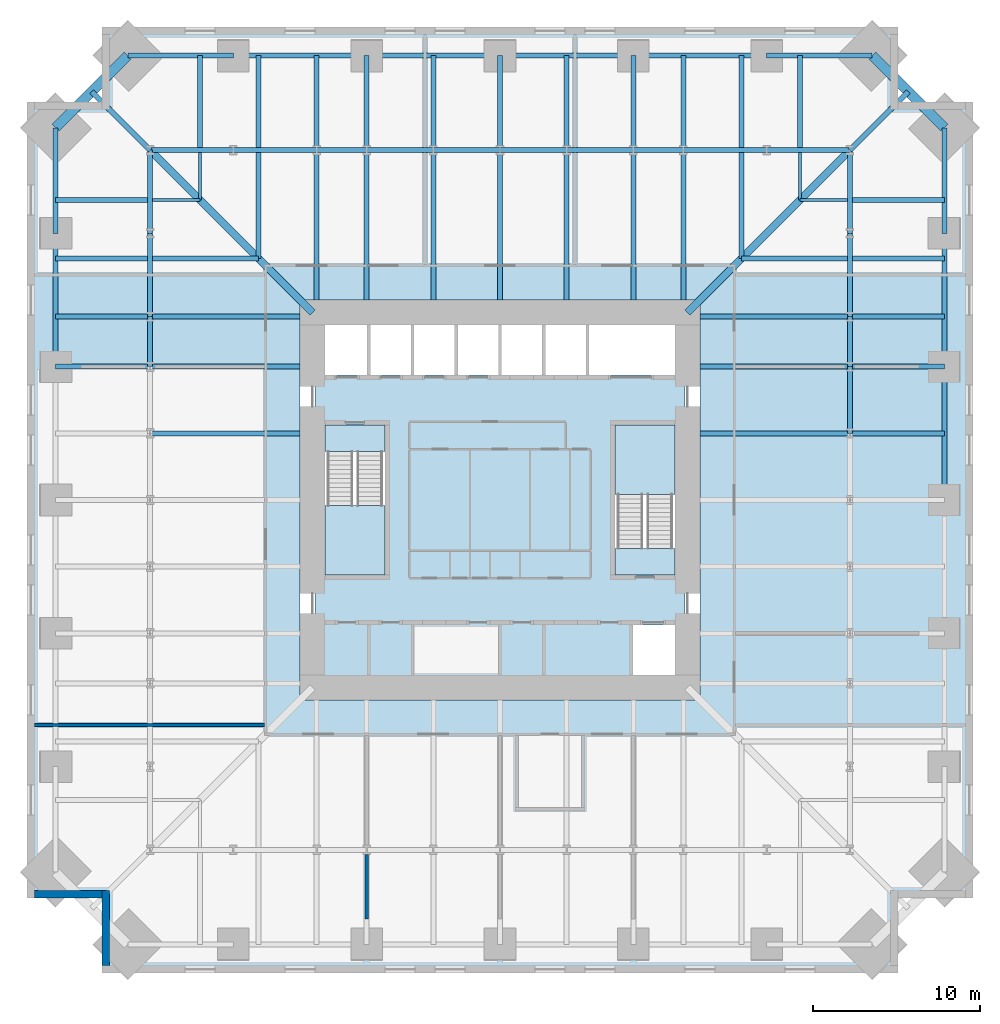
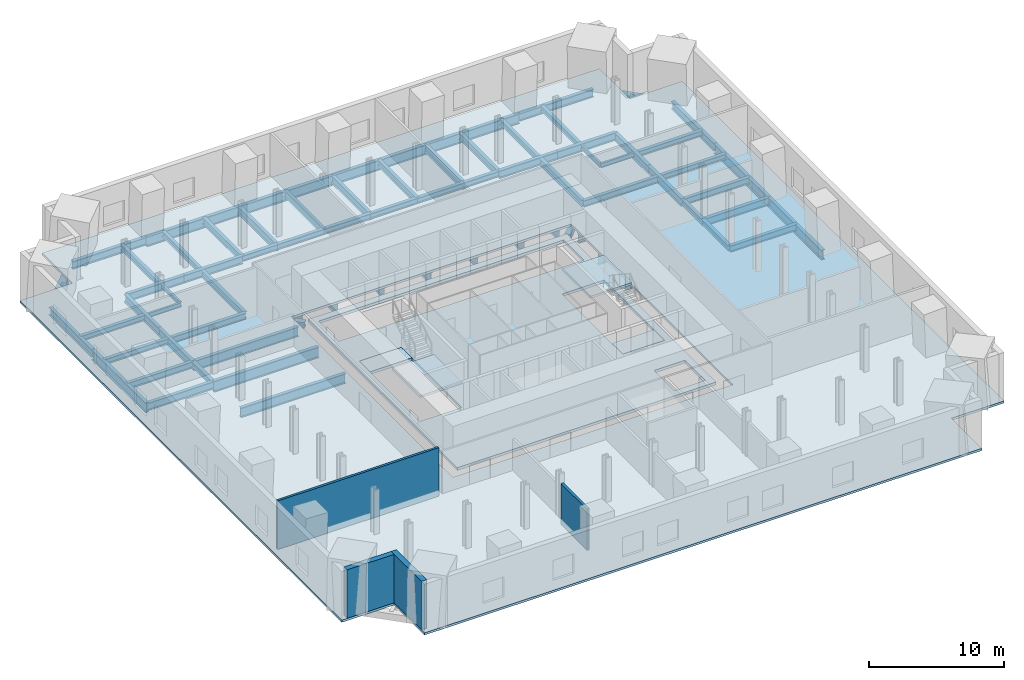
# One storey, part 2 of 8: 75 beams, 6 slabs, 4 walls, 2 elements without a shape of their own.
"""IFC4 building model written with IfcOpenShell, lengths in metres."""

from ifc_helpers import new_model, si_unit, direction, frame, frame_2d, origin, origin_2d, place, context, subcontext, project, spatial, polyline, rectangle, hollow_rectangle, i_section, outline, extrude, material, layer, layer_set, material_profile, profile_set, type_object, element, aggregate, save


model = new_model("IFC4")

# Units and contexts
model_context = context("Model", 3, precision=1e-05, world=origin(), true_north=direction((0.0, 1.0)))
body_context = subcontext(model_context, "Body", "Model", "MODEL_VIEW")
ifc_project = project(units=[si_unit("LENGTHUNIT", "METRE"), si_unit("AREAUNIT", "SQUARE_METRE"), si_unit("VOLUMEUNIT", "CUBIC_METRE"), si_unit("PLANEANGLEUNIT", "RADIAN"), si_unit("MASSUNIT", "GRAM", prefix="KILO")], contexts=[model_context])

# Site, building, storey
site_placement = place(None, origin())
site = spatial("IfcSite", under=ifc_project, at=site_placement, CompositionType="ELEMENT")
building_placement = place(site_placement, origin())
building = spatial("IfcBuilding", under=site, at=building_placement, Name="Peilmerk Tower", CompositionType="ELEMENT")
storey_placement = place(building_placement, frame((0.0, 0.0, 104.39990234375)))
storey = spatial("IfcBuildingStorey", under=building, at=storey_placement, Name="L20", CompositionType="ELEMENT", Elevation=104.39990234375)

# Beams
ifc_material_1 = material(Name="Steel S355", Category="steel")
ifc_material_profile_1 = material_profile(ifc_material_1, i_section(OverallWidth=0.300048828125, OverallDepth=0.68994140625, WebThickness=0.014404296875, FlangeThickness=0.027099609375, at=origin_2d()), Name="HEA 700")
ifc_profile_set_1 = profile_set([ifc_material_profile_1], Name="Steel S355")
beam_type_1 = type_object("IfcBeamType", Name="B16 HEA 700 floor beam", PredefinedType="BEAM", material=ifc_profile_set_1)
for number, where, z_axis, x_axis, name in (
    (1, (8.0, 21.0, -0.544921875), (0.0, 1.0, 0.0), (-1.0, 0.0, 0.0), "Floor girder L20"),
    (2, (0.0, 21.0, -0.544921875), (0.0, 1.0, 0.0), (-1.0, 0.0, 0.0), "Floor girder L20"),
    (3, (-8.0, 21.0, -0.544921875), (0.0, 1.0, 0.0), (-1.0, 0.0, 0.0), "Floor girder L20"),
    (4, (21.0, 8.0, -0.544921875), (1.0, 0.0, 0.0), (0.0, 1.0, 0.0), "Floor girder L20"),
    (5, (-21.0, 8.0, -0.544921875), (-1.0, 0.0, 0.0), (0.0, -1.0, 0.0), "Floor girder L20"),
):
    element("IfcBeam", number, at=place(storey_placement, frame(where, z_axis=z_axis, x_axis=x_axis)), inside=storey, type_object=beam_type_1, Name=name, PredefinedType="BEAM", context=body_context, shape_type="SweptSolid", body=[
        extrude(i_section(OverallWidth=0.300048828125, OverallDepth=0.68994140625, WebThickness=0.014404296875, FlangeThickness=0.027099609375, at=origin_2d()), origin(), (0.0, 0.0, 1.0), 5.68701171875),
    ])
for number, where, z_axis, x_axis, name in (
    (6, (21.0, 21.0, -0.544921875), (0.707106781187, 0.707106781187, 0.0), (-0.707106781187, 0.707106781187, 0.0), "Corner girder L20"),
    (7, (-21.0, 21.0, -0.544921875), (-0.707106781187, 0.707106781187, 0.0), (-0.707106781187, -0.707106781187, 0.0), "Corner girder L20"),
):
    element("IfcBeam", number, at=place(storey_placement, frame(where, z_axis=z_axis, x_axis=x_axis)), inside=storey, type_object=beam_type_1, Name=name, PredefinedType="BEAM", context=body_context, shape_type="SweptSolid", body=[
        extrude(i_section(OverallWidth=0.300048828125, OverallDepth=0.68994140625, WebThickness=0.014404296875, FlangeThickness=0.027099609375, at=origin_2d()), origin(), (0.0, 0.0, 1.0), 4.967041015625),
    ])
ifc_material_profile_2 = material_profile(ifc_material_1, i_section(OverallWidth=0.303955078125, OverallDepth=0.716064453125, WebThickness=0.02099609375, FlangeThickness=0.0400390625, at=origin_2d()), Name="HEM 700")
ifc_profile_set_2 = profile_set([ifc_material_profile_2], Name="Steel S355")
beam_type_2 = type_object("IfcBeamType", Name="B19 HEM 700 ring girder", PredefinedType="BEAM", material=ifc_profile_set_2)
for number, where, z_axis, x_axis, name in (
    (8, (21.0, 21.0, -0.557861328125), (-1.0, 0.0, 0.0), (0.0, -1.0, 0.0), "Ring girder L20"),
    (9, (16.0, 21.0, -0.557861328125), (-1.0, 0.0, 0.0), (0.0, -1.0, 0.0), "Ring girder L20"),
    (10, (-11.0, 21.0, -0.557861328125), (-1.0, 0.0, 0.0), (0.0, -1.0, 0.0), "Ring girder L20"),
    (11, (-16.0, 21.0, -0.557861328125), (-1.0, 0.0, 0.0), (0.0, -1.0, 0.0), "Ring girder L20"),
    (12, (21.0, 11.0, -0.557861328125), (0.0, 1.0, 0.0), (-1.0, 0.0, 0.0), "Ring girder L20"),
    (13, (21.0, 16.0, -0.557861328125), (0.0, 1.0, 0.0), (-1.0, 0.0, 0.0), "Ring girder L20"),
    (14, (-21.0, 21.0, -0.557861328125), (0.0, -1.0, 0.0), (1.0, 0.0, 0.0), "Ring girder L20"),
    (15, (-21.0, 16.0, -0.557861328125), (0.0, -1.0, 0.0), (1.0, 0.0, 0.0), "Ring girder L20"),
):
    element("IfcBeam", number, at=place(storey_placement, frame(where, z_axis=z_axis, x_axis=x_axis)), inside=storey, type_object=beam_type_2, Name=name, PredefinedType="BEAM", context=body_context, shape_type="SweptSolid", body=[
        extrude(i_section(OverallWidth=0.303955078125, OverallDepth=0.716064453125, WebThickness=0.02099609375, FlangeThickness=0.0400390625, at=origin_2d()), origin(), (0.0, 0.0, 1.0), 5.0),
    ])
ifc_material_profile_3 = material_profile(ifc_material_1, i_section(OverallWidth=0.302001953125, OverallDepth=0.909912109375, WebThickness=0.02099609375, FlangeThickness=0.0400390625, at=origin_2d()), Name="HEM 900")
ifc_profile_set_3 = profile_set([ifc_material_profile_3], Name="Steel S355")
beam_type_3 = type_object("IfcBeamType", Name="B2 HEM 900 edge beam", PredefinedType="SPANDREL", material=ifc_profile_set_3)
for number, where, z_axis, x_axis, name in (
    (16, (16.0, 26.68701171875, -0.65478515625), (-1.0, 0.0, 0.0), (0.0, -1.0, 0.0), "Edge beam L20"),
    (17, (8.0, 26.68701171875, -0.65478515625), (-1.0, 0.0, 0.0), (0.0, -1.0, 0.0), "Edge beam L20"),
    (18, (0.0, 26.68701171875, -0.65478515625), (-1.0, 0.0, 0.0), (0.0, -1.0, 0.0), "Edge beam L20"),
    (19, (-8.0, 26.68701171875, -0.65478515625), (-1.0, 0.0, 0.0), (0.0, -1.0, 0.0), "Edge beam L20"),
    (20, (26.68701171875, 0.0, -0.65478515625), (0.0, 1.0, 0.0), (-1.0, 0.0, 0.0), "Edge beam L20"),
    (21, (26.68701171875, 8.0, -0.65478515625), (0.0, 1.0, 0.0), (-1.0, 0.0, 0.0), "Edge beam L20"),
    (22, (-26.68701171875, 16.0, -0.65478515625), (0.0, -1.0, 0.0), (1.0, 0.0, 0.0), "Edge beam L20"),
):
    element("IfcBeam", number, at=place(storey_placement, frame(where, z_axis=z_axis, x_axis=x_axis)), inside=storey, type_object=beam_type_3, Name=name, PredefinedType="SPANDREL", context=body_context, shape_type="SweptSolid", body=[
        extrude(i_section(OverallWidth=0.302001953125, OverallDepth=0.909912109375, WebThickness=0.02099609375, FlangeThickness=0.0400390625, at=origin_2d()), origin(), (0.0, 0.0, 1.0), 8.0),
    ])
ifc_material_2 = material(Name="Steel S460", Category="steel")
ifc_material_profile_4 = material_profile(ifc_material_2, hollow_rectangle(XDim=0.60009765625, YDim=0.60009765625, WallThickness=0.06005859375, at=origin_2d()), Name="BOX 600x600x60")
ifc_profile_set_4 = profile_set([ifc_material_profile_4], Name="Steel S460")
beam_type_4 = type_object("IfcBeamType", Name="B20 BOX 600x600x60 notch beam", PredefinedType="SPANDREL", material=ifc_profile_set_4)
for number, where, z_axis, x_axis, name in (
    (23, (22.337158203125, 26.68701171875, -0.5), (0.707106781187, -0.707106781187, 0.0), (0.707106781187, 0.707106781187, 0.0), "Notch beam L20"),
    (24, (-26.68701171875, 22.337158203125, -0.5), (0.707106781187, 0.707106781187, 0.0), (-0.707106781187, 0.707106781187, 0.0), "Notch beam L20"),
):
    element("IfcBeam", number, at=place(storey_placement, frame(where, z_axis=z_axis, x_axis=x_axis)), inside=storey, type_object=beam_type_4, Name=name, PredefinedType="SPANDREL", context=body_context, shape_type="SweptSolid", body=[
        extrude(hollow_rectangle(XDim=0.60009765625, YDim=0.60009765625, WallThickness=0.06005859375, at=origin_2d()), origin(), (0.0, 0.0, 1.0), 6.151611328125),
    ])
ifc_material_profile_5 = material_profile(ifc_material_1, i_section(OverallWidth=0.302001953125, OverallDepth=1.008056640625, WebThickness=0.02099609375, FlangeThickness=0.0400390625, at=origin_2d()), Name="HEM 1000")
ifc_profile_set_5 = profile_set([ifc_material_profile_5], Name="Steel S355")
beam_type_5 = type_object("IfcBeamType", Name="B24 HEM 1000 floor girder", PredefinedType="BEAM", material=ifc_profile_set_5)
for number, where, z_axis, x_axis, name in (
    (25, (8.0, 12.0, -0.703857421875), (0.0, 1.0, 0.0), (-1.0, 0.0, 0.0), "Floor girder L20"),
    (26, (0.0, 12.0, -0.703857421875), (0.0, 1.0, 0.0), (-1.0, 0.0, 0.0), "Floor girder L20"),
    (27, (-8.0, 12.0, -0.703857421875), (0.0, 1.0, 0.0), (-1.0, 0.0, 0.0), "Floor girder L20"),
    (28, (12.0, 8.0, -0.703857421875), (1.0, 0.0, 0.0), (0.0, 1.0, 0.0), "Floor girder L20"),
    (29, (-12.0, 8.0, -0.703857421875), (-1.0, 0.0, 0.0), (0.0, -1.0, 0.0), "Floor girder L20"),
):
    element("IfcBeam", number, at=place(storey_placement, frame(where, z_axis=z_axis, x_axis=x_axis)), inside=storey, type_object=beam_type_5, Name=name, PredefinedType="BEAM", context=body_context, shape_type="SweptSolid", body=[
        extrude(i_section(OverallWidth=0.302001953125, OverallDepth=1.008056640625, WebThickness=0.02099609375, FlangeThickness=0.0400390625, at=origin_2d()), origin(), (0.0, 0.0, 1.0), 9.0),
    ])
ifc_material_profile_6 = material_profile(ifc_material_1, i_section(OverallWidth=0.300048828125, OverallDepth=0.590087890625, WebThickness=0.012939453125, FlangeThickness=0.02490234375, at=origin_2d()), Name="HEA 600")
ifc_profile_set_6 = profile_set([ifc_material_profile_6], Name="Steel S355")
beam_type_6 = type_object("IfcBeamType", Name="B27 HEA 600 floor beam", PredefinedType="BEAM", material=ifc_profile_set_6)
for number, where, z_axis, x_axis, name in (
    (30, (11.0, 21.0, -0.494873046875), (0.0, 1.0, 0.0), (-1.0, 0.0, 0.0), "Floor beam L20"),
    (31, (4.0, 21.0, -0.494873046875), (0.0, 1.0, 0.0), (-1.0, 0.0, 0.0), "Floor beam L20"),
    (32, (-4.0, 21.0, -0.494873046875), (0.0, 1.0, 0.0), (-1.0, 0.0, 0.0), "Floor beam L20"),
    (33, (-11.0, 21.0, -0.494873046875), (0.0, 1.0, 0.0), (-1.0, 0.0, 0.0), "Floor beam L20"),
    (34, (21.0, 4.0, -0.494873046875), (1.0, 0.0, 0.0), (0.0, 1.0, 0.0), "Floor beam L20"),
    (35, (21.0, 11.0, -0.494873046875), (1.0, 0.0, 0.0), (0.0, 1.0, 0.0), "Floor beam L20"),
    (36, (-21.0, 11.0, -0.494873046875), (-1.0, 0.0, 0.0), (0.0, -1.0, 0.0), "Floor beam L20"),
):
    element("IfcBeam", number, at=place(storey_placement, frame(where, z_axis=z_axis, x_axis=x_axis)), inside=storey, type_object=beam_type_6, Name=name, PredefinedType="BEAM", context=body_context, shape_type="SweptSolid", body=[
        extrude(i_section(OverallWidth=0.300048828125, OverallDepth=0.590087890625, WebThickness=0.012939453125, FlangeThickness=0.02490234375, at=origin_2d()), origin(), (0.0, 0.0, 1.0), 5.68701171875),
    ])
for number, where, z_axis, x_axis, name in (
    (37, (14.5, 14.5, -0.494873046875), (0.0, 1.0, 0.0), (-1.0, 0.0, 0.0), "Floor beam L20"),
    (38, (14.5, 14.5, -0.494873046875), (1.0, 0.0, 0.0), (0.0, 1.0, 0.0), "Floor beam L20"),
    (39, (-14.5, 14.5, -0.494873046875), (0.0, 1.0, 0.0), (-1.0, 0.0, 0.0), "Floor beam L20"),
    (40, (-14.5, 14.5, -0.494873046875), (-1.0, 0.0, 0.0), (0.0, -1.0, 0.0), "Floor beam L20"),
):
    element("IfcBeam", number, at=place(storey_placement, frame(where, z_axis=z_axis, x_axis=x_axis)), inside=storey, type_object=beam_type_6, Name=name, PredefinedType="BEAM", context=body_context, shape_type="SweptSolid", body=[
        extrude(i_section(OverallWidth=0.300048828125, OverallDepth=0.590087890625, WebThickness=0.012939453125, FlangeThickness=0.02490234375, at=origin_2d()), origin(), (0.0, 0.0, 1.0), 6.347900390625),
    ])
ifc_material_profile_7 = material_profile(ifc_material_1, i_section(OverallWidth=0.179931640625, OverallDepth=0.39990234375, WebThickness=0.008544921875, FlangeThickness=0.013427734375, at=origin_2d()), Name="IPE 400")
ifc_profile_set_7 = profile_set([ifc_material_profile_7], Name="Steel S355")
beam_type_7 = type_object("IfcBeamType", Name="B28 IPE 400 floor beam", PredefinedType="BEAM", material=ifc_profile_set_7)
for number, where, z_axis, x_axis, name in (
    (41, (18.0, 18.0, -0.39990234375), (0.0, 1.0, 0.0), (-1.0, 0.0, 0.0), "Floor beam L20"),
    (42, (18.0, 18.0, -0.39990234375), (1.0, 0.0, 0.0), (0.0, 1.0, 0.0), "Floor beam L20"),
    (43, (-18.0, 18.0, -0.39990234375), (0.0, 1.0, 0.0), (-1.0, 0.0, 0.0), "Floor beam L20"),
    (44, (-18.0, 18.0, -0.39990234375), (-1.0, 0.0, 0.0), (0.0, -1.0, 0.0), "Floor beam L20"),
):
    element("IfcBeam", number, at=place(storey_placement, frame(where, z_axis=z_axis, x_axis=x_axis)), inside=storey, type_object=beam_type_7, Name=name, PredefinedType="BEAM", context=body_context, shape_type="SweptSolid", body=[
        extrude(i_section(OverallWidth=0.179931640625, OverallDepth=0.39990234375, WebThickness=0.008544921875, FlangeThickness=0.013427734375, at=origin_2d()), origin(), (0.0, 0.0, 1.0), 2.847900390625),
    ])
ifc_material_profile_8 = material_profile(ifc_material_1, i_section(OverallWidth=0.300048828125, OverallDepth=0.489990234375, WebThickness=0.011962890625, FlangeThickness=0.02294921875, at=origin_2d()), Name="HEA 500")
ifc_profile_set_8 = profile_set([ifc_material_profile_8], Name="Steel S355")
beam_type_8 = type_object("IfcBeamType", Name="B29 HEA 500 floor beam", PredefinedType="BEAM", material=ifc_profile_set_8)
for number, where, z_axis, x_axis, name in (
    (45, (14.5, 21.152099609375, -0.44482421875), (0.0, 1.0, 0.0), (-1.0, 0.0, 0.0), "Floor beam L20"),
    (46, (21.152099609375, 14.5, -0.44482421875), (1.0, 0.0, 0.0), (0.0, 1.0, 0.0), "Floor beam L20"),
    (47, (18.0, 21.152099609375, -0.44482421875), (0.0, 1.0, 0.0), (-1.0, 0.0, 0.0), "Floor beam L20"),
    (48, (21.152099609375, 18.0, -0.44482421875), (1.0, 0.0, 0.0), (0.0, 1.0, 0.0), "Floor beam L20"),
    (49, (-14.5, 21.152099609375, -0.44482421875), (0.0, 1.0, 0.0), (-1.0, 0.0, 0.0), "Floor beam L20"),
    (50, (-21.152099609375, 14.5, -0.44482421875), (-1.0, 0.0, 0.0), (0.0, -1.0, 0.0), "Floor beam L20"),
    (51, (-18.0, 21.152099609375, -0.44482421875), (0.0, 1.0, 0.0), (-1.0, 0.0, 0.0), "Floor beam L20"),
    (52, (-21.152099609375, 18.0, -0.44482421875), (-1.0, 0.0, 0.0), (0.0, -1.0, 0.0), "Floor beam L20"),
):
    element("IfcBeam", number, at=place(storey_placement, frame(where, z_axis=z_axis, x_axis=x_axis)), inside=storey, type_object=beam_type_8, Name=name, PredefinedType="BEAM", context=body_context, shape_type="SweptSolid", body=[
        extrude(i_section(OverallWidth=0.300048828125, OverallDepth=0.489990234375, WebThickness=0.011962890625, FlangeThickness=0.02294921875, at=origin_2d()), origin(), (0.0, 0.0, 1.0), 5.534912109375),
    ])
ifc_material_profile_9 = material_profile(ifc_material_1, i_section(OverallWidth=0.303955078125, OverallDepth=0.716064453125, WebThickness=0.02099609375, FlangeThickness=0.0400390625, at=origin_2d()), Name="HEM 700")
ifc_profile_set_9 = profile_set([ifc_material_profile_9], Name="Steel S355")
beam_type_9 = type_object("IfcBeamType", Name="B30 HEM 700 edge beam", PredefinedType="SPANDREL", material=ifc_profile_set_9)
for number, where, z_axis, x_axis, name in (
    (53, (22.337158203125, 26.68701171875, -0.557861328125), (-1.0, 0.0, 0.0), (0.0, -1.0, 0.0), "Edge beam L20"),
    (54, (-16.0, 26.68701171875, -0.557861328125), (-1.0, 0.0, 0.0), (0.0, -1.0, 0.0), "Edge beam L20"),
    (55, (26.68701171875, 16.0, -0.557861328125), (0.0, 1.0, 0.0), (-1.0, 0.0, 0.0), "Edge beam L20"),
    (56, (-26.68701171875, 22.337158203125, -0.557861328125), (0.0, -1.0, 0.0), (1.0, 0.0, 0.0), "Edge beam L20"),
):
    element("IfcBeam", number, at=place(storey_placement, frame(where, z_axis=z_axis, x_axis=x_axis)), inside=storey, type_object=beam_type_9, Name=name, PredefinedType="SPANDREL", context=body_context, shape_type="SweptSolid", body=[
        extrude(i_section(OverallWidth=0.303955078125, OverallDepth=0.716064453125, WebThickness=0.02099609375, FlangeThickness=0.0400390625, at=origin_2d()), origin(), (0.0, 0.0, 1.0), 6.337158203125),
    ])
ifc_material_profile_10 = material_profile(ifc_material_1, i_section(OverallWidth=0.300048828125, OverallDepth=0.889892578125, WebThickness=0.01611328125, FlangeThickness=0.030029296875, at=origin_2d()), Name="HEA 900")
ifc_profile_set_10 = profile_set([ifc_material_profile_10], Name="Steel S355")
beam_type_10 = type_object("IfcBeamType", Name="B4 HEA 900 floor beam", PredefinedType="BEAM", material=ifc_profile_set_10)
for number, where, z_axis, x_axis, name in (
    (57, (11.0, 12.0, -0.64501953125), (0.0, 1.0, 0.0), (-1.0, 0.0, 0.0), "Floor beam L20"),
    (58, (4.0, 12.0, -0.64501953125), (0.0, 1.0, 0.0), (-1.0, 0.0, 0.0), "Floor beam L20"),
    (59, (-4.0, 12.0, -0.64501953125), (0.0, 1.0, 0.0), (-1.0, 0.0, 0.0), "Floor beam L20"),
    (60, (-11.0, 12.0, -0.64501953125), (0.0, 1.0, 0.0), (-1.0, 0.0, 0.0), "Floor beam L20"),
    (61, (12.0, 4.0, -0.64501953125), (1.0, 0.0, 0.0), (0.0, 1.0, 0.0), "Floor beam L20"),
    (62, (12.0, 11.0, -0.64501953125), (1.0, 0.0, 0.0), (0.0, 1.0, 0.0), "Floor beam L20"),
    (63, (-12.0, 11.0, -0.64501953125), (-1.0, 0.0, 0.0), (0.0, -1.0, 0.0), "Floor beam L20"),
    (64, (-12.0, 4.0, -0.64501953125), (-1.0, 0.0, 0.0), (0.0, -1.0, 0.0), "Floor beam L20"),
):
    element("IfcBeam", number, at=place(storey_placement, frame(where, z_axis=z_axis, x_axis=x_axis)), inside=storey, type_object=beam_type_10, Name=name, PredefinedType="BEAM", context=body_context, shape_type="SweptSolid", body=[
        extrude(i_section(OverallWidth=0.300048828125, OverallDepth=0.889892578125, WebThickness=0.01611328125, FlangeThickness=0.030029296875, at=origin_2d()), origin(), (0.0, 0.0, 1.0), 9.0),
    ])
ifc_material_profile_11 = material_profile(ifc_material_1, i_section(OverallWidth=0.305908203125, OverallDepth=0.52392578125, WebThickness=0.02099609375, FlangeThickness=0.0400390625, at=origin_2d()), Name="HEM 500")
ifc_profile_set_11 = profile_set([ifc_material_profile_11], Name="Steel S355")
beam_type_11 = type_object("IfcBeamType", Name="B7 HEM 500 ring girder", PredefinedType="BEAM", material=ifc_profile_set_11)
beam_1_placement = place(storey_placement, frame((11.0, 21.0, -0.4619140625), z_axis=(-1.0, 0.0, 0.0), x_axis=(0.0, -1.0, 0.0)))
element("IfcBeam", 65, at=beam_1_placement, inside=storey, type_object=beam_type_11, Name="Ring girder L20", PredefinedType="BEAM", context=body_context, shape_type="SweptSolid", body=[
    extrude(i_section(OverallWidth=0.305908203125, OverallDepth=0.52392578125, WebThickness=0.02099609375, FlangeThickness=0.0400390625, at=origin_2d()), origin(), (0.0, 0.0, 1.0), 3.0),
])
for number, where, z_axis, x_axis, name in (
    (66, (8.0, 21.0, -0.4619140625), (-1.0, 0.0, 0.0), (0.0, -1.0, 0.0), "Ring girder L20"),
    (67, (4.0, 21.0, -0.4619140625), (-1.0, 0.0, 0.0), (0.0, -1.0, 0.0), "Ring girder L20"),
    (68, (0.0, 21.0, -0.4619140625), (-1.0, 0.0, 0.0), (0.0, -1.0, 0.0), "Ring girder L20"),
    (69, (-4.0, 21.0, -0.4619140625), (-1.0, 0.0, 0.0), (0.0, -1.0, 0.0), "Ring girder L20"),
):
    element("IfcBeam", number, at=place(storey_placement, frame(where, z_axis=z_axis, x_axis=x_axis)), inside=storey, type_object=beam_type_11, Name=name, PredefinedType="BEAM", context=body_context, shape_type="SweptSolid", body=[
        extrude(i_section(OverallWidth=0.305908203125, OverallDepth=0.52392578125, WebThickness=0.02099609375, FlangeThickness=0.0400390625, at=origin_2d()), origin(), (0.0, 0.0, 1.0), 4.0),
    ])
beam_2_placement = place(storey_placement, frame((-8.0, 21.0, -0.4619140625), z_axis=(-1.0, 0.0, 0.0), x_axis=(0.0, -1.0, 0.0)))
element("IfcBeam", 70, at=beam_2_placement, inside=storey, type_object=beam_type_11, Name="Ring girder L20", PredefinedType="BEAM", context=body_context, shape_type="SweptSolid", body=[
    extrude(i_section(OverallWidth=0.305908203125, OverallDepth=0.52392578125, WebThickness=0.02099609375, FlangeThickness=0.0400390625, at=origin_2d()), origin(), (0.0, 0.0, 1.0), 3.0),
])
beam_3_placement = place(storey_placement, frame((21.0, 4.0, -0.4619140625), z_axis=(0.0, 1.0, 0.0), x_axis=(-1.0, 0.0, 0.0)))
element("IfcBeam", 71, at=beam_3_placement, inside=storey, type_object=beam_type_11, Name="Ring girder L20", PredefinedType="BEAM", context=body_context, shape_type="SweptSolid", body=[
    extrude(i_section(OverallWidth=0.305908203125, OverallDepth=0.52392578125, WebThickness=0.02099609375, FlangeThickness=0.0400390625, at=origin_2d()), origin(), (0.0, 0.0, 1.0), 4.0),
])
for number, where, z_axis, x_axis, name in (
    (72, (21.0, 8.0, -0.4619140625), (0.0, 1.0, 0.0), (-1.0, 0.0, 0.0), "Ring girder L20"),
    (73, (-21.0, 11.0, -0.4619140625), (0.0, -1.0, 0.0), (1.0, 0.0, 0.0), "Ring girder L20"),
):
    element("IfcBeam", number, at=place(storey_placement, frame(where, z_axis=z_axis, x_axis=x_axis)), inside=storey, type_object=beam_type_11, Name=name, PredefinedType="BEAM", context=body_context, shape_type="SweptSolid", body=[
        extrude(i_section(OverallWidth=0.305908203125, OverallDepth=0.52392578125, WebThickness=0.02099609375, FlangeThickness=0.0400390625, at=origin_2d()), origin(), (0.0, 0.0, 1.0), 3.0),
    ])
ifc_material_profile_12 = material_profile(ifc_material_2, i_section(OverallWidth=0.4541015625, OverallDepth=0.569091796875, WebThickness=0.077880859375, FlangeThickness=0.125, at=origin_2d()), Name="HD 400x1086")
ifc_profile_set_12 = profile_set([ifc_material_profile_12], Name="Steel S460")
beam_type_12 = type_object("IfcBeamType", Name="B9 HD 400x1086 corner girder", PredefinedType="BEAM", material=ifc_profile_set_12)
for number, where, z_axis, x_axis, name in (
    (74, (11.25, 11.25, -0.484375), (0.707106781187, 0.707106781187, 0.0), (-0.707106781187, 0.707106781187, 0.0), "Corner girder L20"),
    (75, (-11.25, 11.25, -0.484375), (-0.707106781187, 0.707106781187, 0.0), (-0.707106781187, -0.707106781187, 0.0), "Corner girder L20"),
):
    element("IfcBeam", number, at=place(storey_placement, frame(where, z_axis=z_axis, x_axis=x_axis)), inside=storey, type_object=beam_type_12, Name=name, PredefinedType="BEAM", context=body_context, shape_type="SweptSolid", body=[
        extrude(i_section(OverallWidth=0.4541015625, OverallDepth=0.569091796875, WebThickness=0.077880859375, FlangeThickness=0.125, at=origin_2d()), origin(), (0.0, 0.0, 1.0), 13.78857421875),
    ])

# Slabs
ifc_material_3 = material(Name="Concrete C55/67", Category="concrete")
ifc_layer_1 = layer(ifc_material_3, 0.25)
ifc_layer_set_1 = layer_set([ifc_layer_1], Name="Concrete C55/67")
slab_type_1 = type_object("IfcSlabType", Name="CS250 250 core floor slab", PredefinedType="FLOOR", material=ifc_layer_set_1)
slab_1_placement = place(storey_placement, frame((0.0, 0.0, -0.25)))
element("IfcSlab", 76, at=slab_1_placement, inside=storey, type_object=slab_type_1, Name="Core slab L20", PredefinedType="FLOOR", context=body_context, shape_type="SweptSolid", body=[
    extrude(outline(polyline([(-11.10009765625, 11.10009765625), (-11.10009765625, -11.10009765625), (11.10009765625, -11.10009765625), (11.10009765625, 11.10009765625), (-11.10009765625, 11.10009765625)]), holes=[polyline([(10.5, 7.5), (-10.5, 7.5), (-10.5, 10.5), (10.5, 10.5), (10.5, 7.5)]), polyline([(7.875, -10.5), (7.875, -7.5), (10.5, -7.5), (10.5, -10.5), (7.875, -10.5)]), polyline([(-10.5, 4.5), (-6.89990234375, 4.5), (-6.89990234375, -4.5), (-10.5, -4.5), (-10.5, 4.5)]), polyline([(10.5, 4.5), (10.5, -4.5), (6.89990234375, -4.5), (6.89990234375, 4.5), (10.5, 4.5)])]), origin(), (0.0, 0.0, 1.0), 0.25),
])
ifc_material_4 = material(Name="Concrete C35/45", Category="concrete")
ifc_layer_2 = layer(ifc_material_4, 0.199951171875)
ifc_layer_set_2 = layer_set([ifc_layer_2], Name="Concrete C35/45")
slab_type_2 = type_object("IfcSlabType", Name="FS200 200 composite floor slab", PredefinedType="FLOOR", material=ifc_layer_set_2)
slab_2_placement = place(storey_placement, frame((0.0, 0.0, -0.199951171875)))
element("IfcSlab", 77, at=slab_2_placement, inside=storey, type_object=slab_type_2, Name="Floor slab L20", PredefinedType="FLOOR", context=body_context, shape_type="SweptSolid", body=[
    extrude(outline(polyline([(-23.89990234375, -28.39990234375), (23.89990234375, -28.39990234375), (23.89990234375, -23.89990234375), (28.39990234375, -23.89990234375), (28.39990234375, 23.89990234375), (23.89990234375, 23.89990234375), (23.89990234375, 28.39990234375), (-23.89990234375, 28.39990234375), (-23.89990234375, 23.89990234375), (-28.39990234375, 23.89990234375), (-28.39990234375, -23.89990234375), (-23.89990234375, -23.89990234375), (-23.89990234375, -28.39990234375)]), holes=[polyline([(12.0, 12.0), (12.0, -12.0), (-12.0, -12.0), (-12.0, 12.0), (12.0, 12.0)])]), origin(), (0.0, 0.0, 1.0), 0.199951171875),
])

# Stair, slab
ifc_material_5 = material(Name="Precast concrete C45/55", Category="concrete")
stair_type_1 = type_object("IfcStairType", Name="ST1 26 risers of 176.9", PredefinedType="HALF_TURN_STAIR", material=ifc_material_5)
stair_1_placement = place(storey_placement, origin())
stair_1 = element("IfcStair", 78, at=stair_1_placement, inside=storey, type_object=stair_type_1, Name="Stair 1 L20 to L21", PredefinedType="HALF_TURN_STAIR")
ifc_layer_3 = layer(ifc_material_4, 0.199951171875)
ifc_layer_set_3 = layer_set([ifc_layer_3], Name="Concrete C35/45")
slab_type_3 = type_object("IfcSlabType", Name="SL1 200 concrete stair landing", PredefinedType="LANDING", material=ifc_layer_set_3)
slab_3_placement = place(storey_placement, frame((0.0, 0.0, 2.10009765625)))
slab_3 = element("IfcSlab", 79, at=slab_3_placement, type_object=slab_type_3, Name="ST1 landing 1", PredefinedType="LANDING", context=body_context, shape_type="SweptSolid", body=[
    extrude(outline(polyline([(-10.5, -4.5), (-6.89990234375, -4.5), (-6.89990234375, -0.340087890625), (-10.5, -0.340087890625), (-10.5, -4.5)])), origin(), (0.0, 0.0, 1.0), 0.199951171875),
])

stair_type_2 = type_object("IfcStairType", Name="ST2 26 risers of 176.9", PredefinedType="HALF_TURN_STAIR", material=ifc_material_5)
stair_2_placement = place(storey_placement, origin())
stair_2 = element("IfcStair", 80, at=stair_2_placement, inside=storey, type_object=stair_type_2, Name="Stair 2 L20 to L21", PredefinedType="HALF_TURN_STAIR")
slab_4_placement = place(storey_placement, frame((0.0, 0.0, 2.10009765625)))
slab_4 = element("IfcSlab", 81, at=slab_4_placement, type_object=slab_type_3, Name="ST2 landing 1", PredefinedType="LANDING", context=body_context, shape_type="SweptSolid", body=[
    extrude(outline(polyline([(6.89990234375, 0.340087890625), (10.5, 0.340087890625), (10.5, 4.5), (6.89990234375, 4.5), (6.89990234375, 0.340087890625)])), origin(), (0.0, 0.0, 1.0), 0.199951171875),
])

# Slab
ifc_layer_4 = layer(ifc_material_4, 0.25)
ifc_layer_set_4 = layer_set([ifc_layer_4], Name="Concrete C35/45")
slab_type_4 = type_object("IfcSlabType", Name="SL2 250 concrete floor landing", PredefinedType="LANDING", material=ifc_layer_set_4)
slab_5_placement = place(storey_placement, frame((0.0, 0.0, -0.25)))
slab_5 = element("IfcSlab", 82, at=slab_5_placement, type_object=slab_type_4, Name="ST1 floor landing", PredefinedType="LANDING", context=body_context, shape_type="SweptSolid", body=[
    extrude(outline(polyline([(-10.5, 2.89990234375), (-6.89990234375, 2.89990234375), (-6.89990234375, 4.5), (-10.5, 4.5), (-10.5, 2.89990234375)])), origin(), (0.0, 0.0, 1.0), 0.25),
])

aggregate(stair_1, [slab_3, slab_5])

slab_6_placement = place(storey_placement, frame((0.0, 0.0, -0.25)))
slab_6 = element("IfcSlab", 83, at=slab_6_placement, type_object=slab_type_4, Name="ST2 floor landing", PredefinedType="LANDING", context=body_context, shape_type="SweptSolid", body=[
    extrude(outline(polyline([(6.89990234375, -4.5), (10.5, -4.5), (10.5, -2.89990234375), (6.89990234375, -2.89990234375), (6.89990234375, -4.5)])), origin(), (0.0, 0.0, 1.0), 0.25),
])

aggregate(stair_2, [slab_4, slab_6])

# Walls
ifc_material_6 = material(Name="Precast concrete C45/55, board-marked finish", Category="concrete")
ifc_layer_5 = layer(ifc_material_6, 0.449951171875)
ifc_layer_set_5 = layer_set([ifc_layer_5], Name="Precast concrete C45/55, board-marked finish")
wall_type_1 = type_object("IfcWallType", Name="EW1 450 precast concrete facade wall, board-marked", PredefinedType="SOLIDWALL", material=ifc_layer_set_5)
wall_1_placement = place(storey_placement, frame((-23.675048828125, -23.449951171875, 0.0), z_axis=(0.0, 0.0, 1.0), x_axis=(0.0, -1.0, 0.0)))
element("IfcWall", 84, at=wall_1_placement, inside=storey, type_object=wall_type_1, Name="Facade wall SWA L20", PredefinedType="SOLIDWALL", context=body_context, shape_type="SweptSolid", body=[
    extrude(rectangle(XDim=4.5, YDim=0.449951171875, at=frame_2d((2.25, 0.0))), origin(), (0.0, 0.0, 1.0), 4.400146484375),
])
wall_2_placement = place(storey_placement, frame((-23.89990234375, -23.675048828125, 0.0), z_axis=(0.0, 0.0, 1.0), x_axis=(-1.0, 0.0, 0.0)))
element("IfcWall", 85, at=wall_2_placement, inside=storey, type_object=wall_type_1, Name="Facade wall SWB L20", PredefinedType="SOLIDWALL", context=body_context, shape_type="SweptSolid", body=[
    extrude(rectangle(XDim=4.050048828125, YDim=0.449951171875, at=frame_2d((2.02490234375, 0.0))), origin(), (0.0, 0.0, 1.0), 4.400146484375),
])
ifc_material_7 = material(Name="Calcium silicate block", Category="masonry")
ifc_layer_6 = layer(ifc_material_7, 0.199951171875)
ifc_layer_set_6 = layer_set([ifc_layer_6], Name="Calcium silicate block")
wall_type_2 = type_object("IfcWallType", Name="IW2 200 room separating wall, EI 120", PredefinedType="PARTITIONING", material=ifc_layer_set_6)
wall_3_placement = place(storey_placement, frame((-14.125, -13.5, 0.0), z_axis=(0.0, 0.0, 1.0), x_axis=(-1.0, 0.0, 0.0)))
element("IfcWall", 86, at=wall_3_placement, inside=storey, type_object=wall_type_2, Name="Room separating wall SW L20", PredefinedType="PARTITIONING", context=body_context, shape_type="SweptSolid", body=[
    extrude(rectangle(XDim=13.824951171875, YDim=0.199951171875, at=frame_2d((6.91259765625, 0.0))), origin(), (0.0, 0.0, 1.0), 4.400146484375),
])
wall_4_placement = place(storey_placement, frame((-8.0, -21.284423828125, 0.0), z_axis=(0.0, 0.0, 1.0), x_axis=(0.0, -1.0, 0.0)))
element("IfcWall", 87, at=wall_4_placement, inside=storey, type_object=wall_type_2, Name="Room separating wall S1b L20", PredefinedType="PARTITIONING", context=body_context, shape_type="SweptSolid", body=[
    extrude(rectangle(XDim=3.873779296875, YDim=0.199951171875, at=frame_2d((1.93701171875, 0.0))), origin(), (0.0, 0.0, 1.0), 3.710205078125),
])

save(model, "model.ifc")
